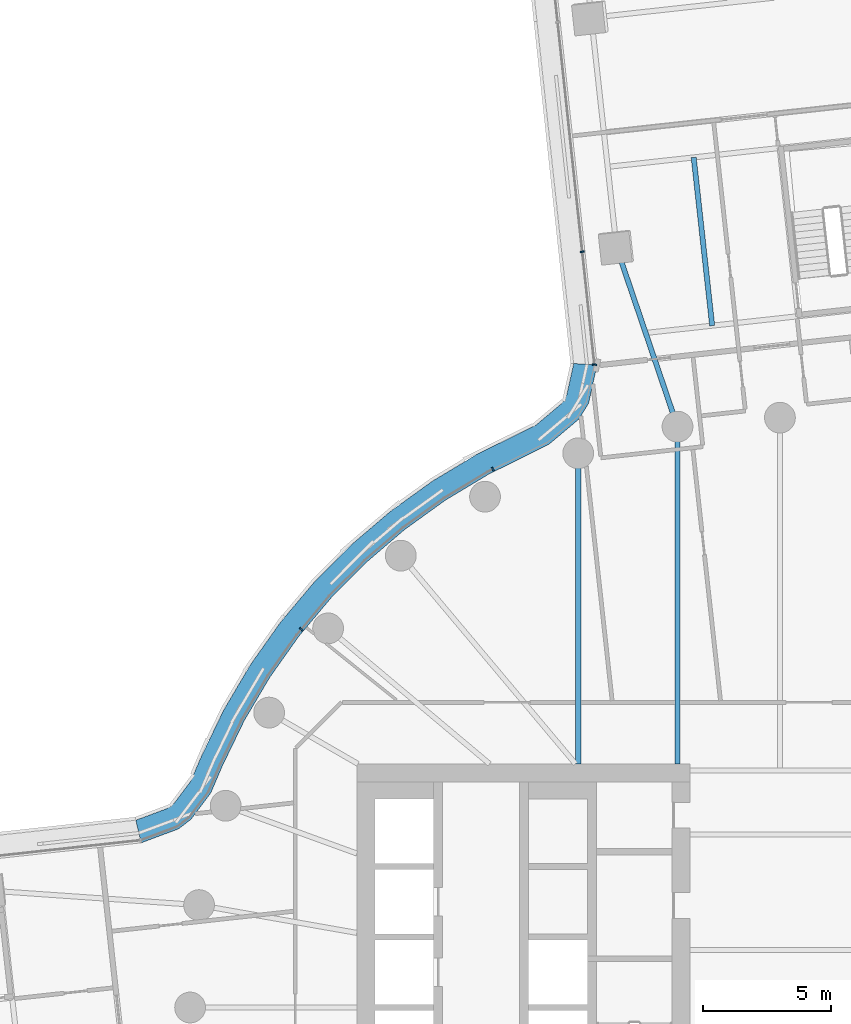
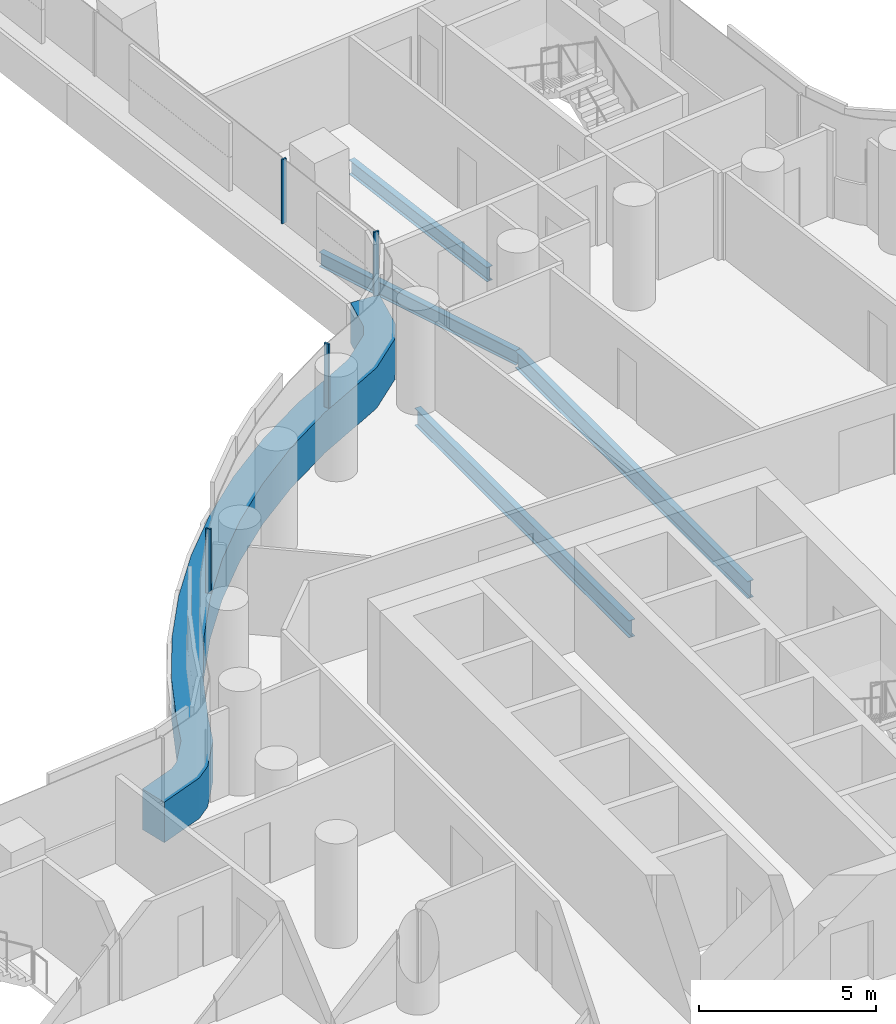
# One storey, part 13 of 31: 5 members, 4 beams, 2 elements without a shape of their own.
"""IFC4 building model written with IfcOpenShell, lengths in metres."""

from ifc_helpers import new_model, si_unit, direction, frame, origin, origin_2d, place, context, subcontext, project, spatial, polyline, rectangle, i_section, outline, extrude, material, layer, layer_set, material_profile, profile_set, type_object, element, aggregate, save


model = new_model("IFC4")

# Units and contexts
model_context = context("Model", 3, precision=1e-05, world=origin(), true_north=direction((0.0, 1.0)))
body_context = subcontext(model_context, "Body", "Model", "MODEL_VIEW")
ifc_project = project(units=[si_unit("LENGTHUNIT", "METRE"), si_unit("AREAUNIT", "SQUARE_METRE"), si_unit("VOLUMEUNIT", "CUBIC_METRE"), si_unit("PLANEANGLEUNIT", "RADIAN"), si_unit("MASSUNIT", "GRAM", prefix="KILO")], contexts=[model_context])

# Site, building, storey
site_placement = place(None, origin())
site = spatial("IfcSite", under=ifc_project, at=site_placement, CompositionType="ELEMENT")
building_placement = place(site_placement, origin())
building = spatial("IfcBuilding", under=site, at=building_placement, Name="Tamarind Cross Interchange Tower", CompositionType="ELEMENT")
storey_placement = place(building_placement, frame((0.0, 0.0, 56.5)))
storey = spatial("IfcBuildingStorey", under=building, at=storey_placement, Name="L12", CompositionType="ELEMENT", Elevation=56.5)

# Beams
ifc_material_1 = material(Name="Steel Q355B", Category="steel")
ifc_material_profile_1 = material_profile(ifc_material_1, i_section(OverallWidth=0.198974609375, OverallDepth=0.49609375, WebThickness=0.009033203125, FlangeThickness=0.013916015625, FilletRadius=0.012939453125, at=origin_2d()), Name="HN 496x199x9x14")
ifc_profile_set_1 = profile_set([ifc_material_profile_1], Name="Steel Q355B")
beam_type_1 = type_object("IfcBeamType", Name="Composite beam HN 496x199x9x14 Q355B", PredefinedType="BEAM", material=ifc_profile_set_1)
beam_1_placement = place(storey_placement, frame((-6.37353515625, 29.64990234375, -0.387939453125), z_axis=(0.321889116105, -0.946777374536, 0.0), x_axis=(0.946777374536, 0.321889116105, 0.0)))
element("IfcBeam", 1, at=beam_1_placement, inside=storey, type_object=beam_type_1, Name="Beam N-linkep", PredefinedType="BEAM", context=body_context, shape_type="SweptSolid", body=[
    extrude(i_section(OverallWidth=0.198974609375, OverallDepth=0.49609375, WebThickness=0.009033203125, FlangeThickness=0.013916015625, FilletRadius=0.012939453125, at=origin_2d()), origin(), (0.0, 0.0, 1.0), 7.392822265625),
])
beam_2_placement = place(storey_placement, frame((-2.641845703125, 26.5888671875, -0.387939453125), z_axis=(-0.109197207173, 0.994020105403, 0.0), x_axis=(-0.994020105403, -0.109197207173, 0.0)))
element("IfcBeam", 2, at=beam_2_placement, inside=storey, type_object=beam_type_1, Name="Beam N-stripp", PredefinedType="BEAM", context=body_context, shape_type="SweptSolid", body=[
    extrude(i_section(OverallWidth=0.198974609375, OverallDepth=0.49609375, WebThickness=0.009033203125, FlangeThickness=0.013916015625, FilletRadius=0.012939453125, at=origin_2d()), origin(), (0.0, 0.0, 1.0), 6.60009765625),
])
ifc_material_profile_2 = material_profile(ifc_material_1, i_section(OverallWidth=0.198974609375, OverallDepth=0.595947265625, WebThickness=0.010009765625, FlangeThickness=0.014892578125, FilletRadius=0.012939453125, at=origin_2d()), Name="HN 596x199x10x15")
ifc_profile_set_2 = profile_set([ifc_material_profile_2], Name="Steel Q355B")
beam_type_2 = type_object("IfcBeamType", Name="Composite beam HN 596x199x10x15 Q355B", PredefinedType="BEAM", material=ifc_profile_set_2)
beam_3_placement = place(storey_placement, frame((-3.993896484375, 22.650634765625, -0.43798828125), z_axis=(0.0, -1.0, 0.0), x_axis=(1.0, 0.0, 0.0)))
element("IfcBeam", 3, at=beam_3_placement, inside=storey, type_object=beam_type_2, Name="Beam HH10", PredefinedType="BEAM", context=body_context, shape_type="SweptSolid", body=[
    extrude(i_section(OverallWidth=0.198974609375, OverallDepth=0.595947265625, WebThickness=0.010009765625, FlangeThickness=0.014892578125, FilletRadius=0.012939453125, at=origin_2d()), origin(), (0.0, 0.0, 1.0), 13.150634765625),
])
beam_4_placement = place(storey_placement, frame((-7.866455078125, 21.613037109375, -0.43798828125), z_axis=(0.0, -1.0, 0.0), x_axis=(1.0, 0.0, 0.0)))
element("IfcBeam", 4, at=beam_4_placement, inside=storey, type_object=beam_type_2, Name="Beam HH11", PredefinedType="BEAM", context=body_context, shape_type="SweptSolid", body=[
    extrude(i_section(OverallWidth=0.198974609375, OverallDepth=0.595947265625, WebThickness=0.010009765625, FlangeThickness=0.014892578125, FilletRadius=0.012939453125, at=origin_2d()), origin(), (0.0, 0.0, 1.0), 12.113037109375),
])

# Curtain wall, member
ifc_material_2 = material(Name="Aluminium 6063-T6", Category="aluminium")
ifc_layer = layer(ifc_material_2, 0.159912109375)
ifc_layer_set = layer_set([ifc_layer], Name="Aluminium 6063-T6")
curtain_wall_type = type_object("IfcCurtainWallType", Name="Office curtain wall, 9.0 m bays", PredefinedType="NOTDEFINED", material=ifc_layer_set)
curtain_wall_1_placement = place(storey_placement, origin())
curtain_wall_1 = element("IfcCurtainWall", 5, at=curtain_wall_1_placement, inside=storey, type_object=curtain_wall_type, Name="CWS-L12-06", PredefinedType="NOTDEFINED")
ifc_material_3 = material(Name="Aluminium and insulated spandrel panel", Category="aluminium")
member_type_1 = type_object("IfcMemberType", Name="Floor-edge blade transom", PredefinedType="USERDEFINED", material=ifc_material_3)
member_1_placement = place(storey_placement, origin())
member_1 = element("IfcMember", 6, at=member_1_placement, type_object=member_type_1, Name="CWT-L12-06", ObjectType="TRANSOM", PredefinedType="USERDEFINED", context=body_context, shape_type="SweptSolid", body=[
    extrude(outline(polyline([(-7.129638671875, 25.061279296875), (-7.46044921875, 23.565185546875), (-7.835693359375, 22.94580078125), (-8.99755859375, 21.968994140625), (-9.599365234375, 21.664794921875), (-11.367431640625, 20.791015625), (-13.045654296875, 19.78125), (-14.634521484375, 18.636474609375), (-16.12353515625, 17.3642578125), (-17.50244140625, 15.973388671875), (-18.76171875, 14.4736328125), (-19.892822265625, 12.874755859375), (-20.88818359375, 11.188232421875), (-21.7431640625, 9.419921875), (-22.19677734375, 8.36083984375), (-22.966064453125, 7.3369140625), (-23.453125, 6.96337890625), (-24.9091796875, 6.420654296875), (-25.11865234375, 7.30322265625), (-23.893798828125, 7.759765625), (-23.611572265625, 7.976318359375), (-22.9814453125, 8.81494140625), (-22.562255859375, 9.793212890625), (-21.68212890625, 11.613525390625), (-20.64892578125, 13.3642578125), (-19.474853515625, 15.023681640625), (-18.167724609375, 16.580810546875), (-16.736572265625, 18.0244140625), (-15.19091796875, 19.344970703125), (-13.54150390625, 20.533203125), (-11.799560546875, 21.581298828125), (-10.001708984375, 22.469970703125), (-9.496826171875, 22.72509765625), (-8.528564453125, 23.539306640625), (-8.30712890625, 23.904541015625), (-8.040283203125, 25.111572265625), (-7.129638671875, 25.061279296875)])), origin(), (0.0, 0.0, 1.0), 1.39990234375),
])

curtain_wall_2_placement = place(storey_placement, origin())
curtain_wall_2 = element("IfcCurtainWall", 7, at=curtain_wall_2_placement, inside=storey, type_object=curtain_wall_type, Name="CWS-L12-05", PredefinedType="NOTDEFINED")
ifc_material_profile_3 = material_profile(ifc_material_2, rectangle(XDim=0.06005859375, YDim=0.159912109375, at=origin_2d()), Name="Mullion CW1")
ifc_profile_set_3 = profile_set([ifc_material_profile_3], Name="Aluminium 6063-T6")
member_type_2 = type_object("IfcMemberType", Name="Mullion CW1", PredefinedType="MULLION", material=ifc_profile_set_3)
member_2_placement = place(storey_placement, frame((-7.703857421875, 29.4716796875, 1.39990234375), z_axis=(0.0, 0.0, 1.0), x_axis=(0.106743612679, -0.994286578986, 0.0)))
member_2 = element("IfcMember", 8, at=member_2_placement, type_object=member_type_2, Name="CWM-L12-05-02", PredefinedType="MULLION", context=body_context, shape_type="SweptSolid", body=[
    extrude(rectangle(XDim=0.06005859375, YDim=0.159912109375, at=origin_2d()), origin(), (0.0, 0.0, 1.0), 2.210205078125),
])
aggregate(curtain_wall_2, [member_2])

# Member
member_3_placement = place(storey_placement, frame((-7.23095703125, 25.06689453125, 1.39990234375), z_axis=(0.0, 0.0, 1.0), x_axis=(-0.055314571186, -0.998468977092, 0.0)))
member_3 = element("IfcMember", 9, at=member_3_placement, type_object=member_type_2, Name="CWM-L12-06-00", PredefinedType="MULLION", context=body_context, shape_type="SweptSolid", body=[
    extrude(rectangle(XDim=0.06005859375, YDim=0.159912109375, at=origin_2d()), origin(), (0.0, 0.0, 1.0), 2.210205078125),
])

member_4_placement = place(storey_placement, frame((-11.193115234375, 20.98876953125, 1.39990234375), z_axis=(0.0, 0.0, 1.0), x_axis=(-0.896492548518, -0.443058811505, 0.0)))
member_4 = element("IfcMember", 10, at=member_4_placement, type_object=member_type_2, Name="CWM-L12-06-01", PredefinedType="MULLION", context=body_context, shape_type="SweptSolid", body=[
    extrude(rectangle(XDim=0.06005859375, YDim=0.159912109375, at=origin_2d()), origin(), (0.0, 0.0, 1.0), 2.210205078125),
])

member_5_placement = place(storey_placement, frame((-18.66357421875, 14.745849609375, 1.39990234375), z_axis=(0.0, 0.0, 1.0), x_axis=(-0.643009266048, -0.765858396687, 0.0)))
member_5 = element("IfcMember", 11, at=member_5_placement, type_object=member_type_2, Name="CWM-L12-06-02", PredefinedType="MULLION", context=body_context, shape_type="SweptSolid", body=[
    extrude(rectangle(XDim=0.06005859375, YDim=0.159912109375, at=origin_2d()), origin(), (0.0, 0.0, 1.0), 2.210205078125),
])

aggregate(curtain_wall_1, [member_3, member_4, member_5, member_1])

save(model, "model.ifc")
